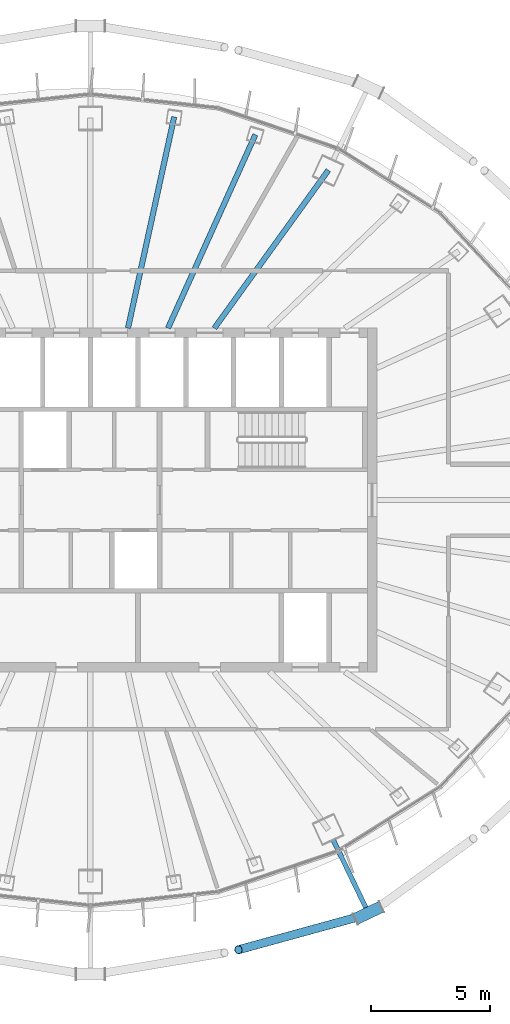
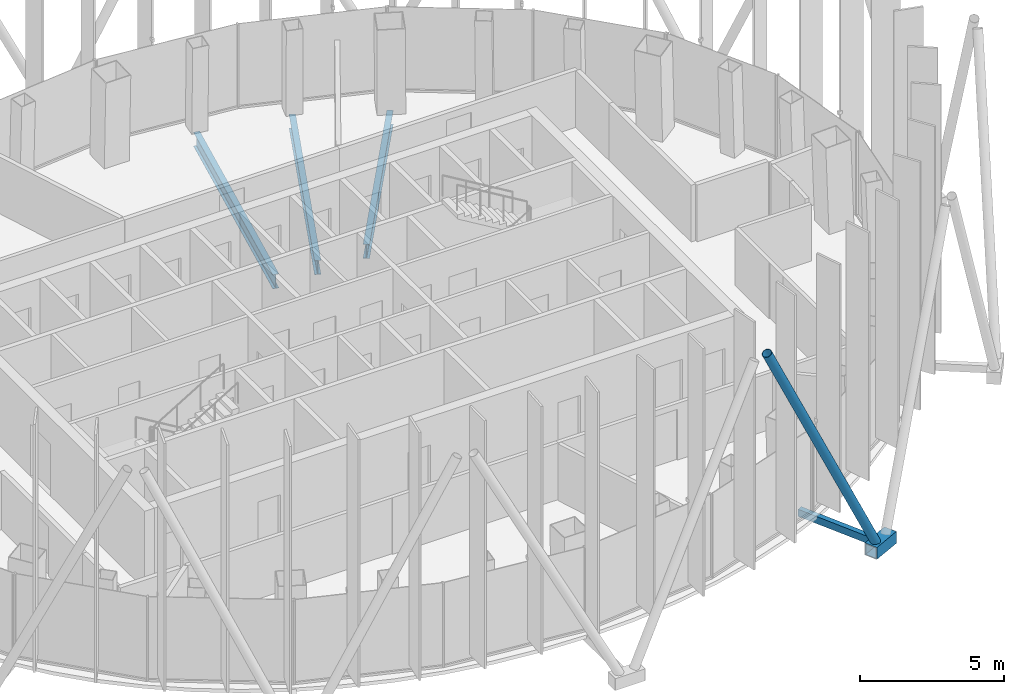
# One storey, part 5 of 19: 3 beams, 3 members.
"""IFC4 building model written with IfcOpenShell, lengths in metres."""

import ifcopenshell
import ifcopenshell.guid

model = None  # the IFC model being written
_history = None  # IfcOwnerHistory: only IFC2X3 demands one
_inside = {}  # id of a spatial element -> (the spatial element, [elements in it])
_under = {}  # id of a project, library or spatial element -> (it, [spatial elements below it])
_declared = {}  # id of a project -> (the project, [libraries it declares])
_typed = {}  # id of a type object -> (the type object, [elements of that type])
_made_of = {}  # id of a material, layer set ... -> (it, [elements and type objects made of it])


def new_model(schema):
    """Start an empty IFC model of exactly this schema.

    Asked for "IFC4X3", IfcOpenShell would pick the latest addendum, in which some entities
    have other attributes; the version numbers below select the first issue.
    IFC2X3 requires an IfcOwnerHistory on every rooted entity: one is made here for all.
    """
    global model, _history
    if schema == "IFC4X3":
        model = ifcopenshell.file(schema_version=(4, 3, 0, 0))
    else:
        model = ifcopenshell.file(schema=schema)
    _inside.clear()
    _under.clear()
    _declared.clear()
    _typed.clear()
    _made_of.clear()
    _history = None
    if model.schema == "IFC2X3":
        org = make("IfcOrganization", Name="unknown")
        user = make(
            "IfcPersonAndOrganization",
            ThePerson=make("IfcPerson", FamilyName="unknown"),
            TheOrganization=org,
        )
        app = make(
            "IfcApplication",
            ApplicationDeveloper=org,
            Version="unknown",
            ApplicationFullName="unknown",
            ApplicationIdentifier="unknown",
        )
        _history = make(
            "IfcOwnerHistory",
            OwningUser=user,
            OwningApplication=app,
            ChangeAction="ADDED",
            CreationDate=0,
        )
    return model


def make(cls, **values):
    """One entity of the class cls with the attributes given. An attribute that is None is left unset."""
    return model.create_entity(
        cls, **{name: value for name, value in values.items() if value is not None}
    )


def rooted(cls, **values):
    """An entity with a GlobalId (a new one), such as an element, a storey or a relation."""
    return make(cls, GlobalId=ifcopenshell.guid.new(), OwnerHistory=_history, **values)


def si_unit(unit_type, name, prefix=None):
    """IfcSIUnit, for example si_unit("LENGTHUNIT", "METRE", prefix="MILLI")."""
    return make("IfcSIUnit", UnitType=unit_type, Prefix=prefix, Name=name)


def assignment(units):
    """IfcUnitAssignment: the units of a project."""
    return None if units is None else make("IfcUnitAssignment", Units=units)


def point(xyz):
    """IfcCartesianPoint."""
    return None if xyz is None else make("IfcCartesianPoint", Coordinates=xyz)


def direction(xyz):
    """IfcDirection."""
    return None if xyz is None else make("IfcDirection", DirectionRatios=xyz)


def frame(location, z_axis=None, x_axis=None):
    """IfcAxis2Placement3D, a coordinate frame: its origin and axes. An axis left out is left unset."""
    return make(
        "IfcAxis2Placement3D",
        Location=point(location),
        Axis=direction(z_axis),
        RefDirection=direction(x_axis),
    )


def frame_2d(location, x_axis=None):
    """IfcAxis2Placement2D, a coordinate frame in the plane: its origin and x axis."""
    return make(
        "IfcAxis2Placement2D", Location=point(location), RefDirection=direction(x_axis)
    )


def origin():
    """The frame at (0, 0, 0) with its axes left unset."""
    return frame((0.0, 0.0, 0.0))


def origin_2d():
    """The frame at (0, 0) in the plane with its x axis left unset."""
    return frame_2d((0.0, 0.0))


def place(relative_to, where):
    """IfcLocalPlacement: puts the frame where relative to a parent placement (None: the world)."""
    return make(
        "IfcLocalPlacement", PlacementRelTo=relative_to, RelativePlacement=where
    )


def context(
    kind, dimensions, precision=None, world=None, true_north=None, identifier=None
):
    """IfcGeometricRepresentationContext, for example the 3D "Model" context."""
    return make(
        "IfcGeometricRepresentationContext",
        ContextIdentifier=identifier,
        ContextType=kind,
        CoordinateSpaceDimension=dimensions,
        Precision=precision,
        WorldCoordinateSystem=world,
        TrueNorth=true_north,
    )


def subcontext(parent, identifier, kind, view, scale=None):
    """IfcGeometricRepresentationSubContext, for example "Body" below "Model"."""
    return make(
        "IfcGeometricRepresentationSubContext",
        ContextIdentifier=identifier,
        ContextType=kind,
        ParentContext=parent,
        TargetScale=scale,
        TargetView=view,
    )


def project(units=None, contexts=None):
    """IfcProject with its units and contexts."""
    return rooted(
        "IfcProject",
        Name="project",
        RepresentationContexts=contexts,
        UnitsInContext=assignment(units),
    )


def spatial(cls, under=None, at=None, **own):
    """A site, building, storey or space (cls), placed at a placement, below another one or the project."""
    s = rooted(cls, ObjectPlacement=at, **own)
    if under is not None:
        _under.setdefault(under.id(), (under, []))[1].append(s)
    return s


def profile(cls, at=None, kind="AREA", **sizes):
    """A parametric profile (cls). Its sizes go by their IFC names, for example OverallWidth=200.0."""
    return make(cls, ProfileType=kind, Position=at, **sizes)


def hollow_rectangle(**sizes):
    """IfcRectangleHollowProfileDef."""
    return profile("IfcRectangleHollowProfileDef", **sizes)


def hollow_circle(**sizes):
    """IfcCircleHollowProfileDef."""
    return profile("IfcCircleHollowProfileDef", **sizes)


def i_section(**sizes):
    """IfcIShapeProfileDef."""
    return profile("IfcIShapeProfileDef", **sizes)


def extrude(swept, where, along, depth):
    """IfcExtrudedAreaSolid: the profile swept, set in the frame where, extruded along a direction by depth."""
    return make(
        "IfcExtrudedAreaSolid",
        SweptArea=swept,
        Position=where,
        ExtrudedDirection=direction(along),
        Depth=depth,
    )


def shape(context_of_items, identifier, shape_type, items):
    """IfcShapeRepresentation: the items that make up one representation, for example the "Body"."""
    return make(
        "IfcShapeRepresentation",
        ContextOfItems=context_of_items,
        RepresentationIdentifier=identifier,
        RepresentationType=shape_type,
        Items=items,
    )


def material(Name=None, Category=None):
    """IfcMaterial."""
    return make("IfcMaterial", Name=Name, Category=Category)


def material_profile(
    of_material, cross_section, Name=None, Category=None, Priority=None
):
    """IfcMaterialProfile: a cross section and its material."""
    return make(
        "IfcMaterialProfile",
        Name=Name,
        Material=of_material,
        Profile=cross_section,
        Priority=Priority,
        Category=Category,
    )


def profile_set(profiles, Name=None, composite=None):
    """IfcMaterialProfileSet."""
    return make(
        "IfcMaterialProfileSet",
        Name=Name,
        MaterialProfiles=profiles,
        CompositeProfile=composite,
    )


def made_of(thing, what):
    """Note that an element or type object is made of a material, layer set ...; save() writes the relation."""
    if what is not None:
        _made_of.setdefault(what.id(), (what, []))[1].append(thing)
    return thing


def type_object(cls, material=None, **own):
    """A type object (cls), such as IfcWallType, which elements share."""
    return made_of(rooted(cls, **own), material)


def element(
    cls,
    number,
    at=None,
    inside=None,
    cuts=None,
    type_object=None,
    material=None,
    context=None,
    identifier="Body",
    shape_type=None,
    held_by="IfcProductDefinitionShape",
    body=None,
    shapes=None,
    **own,
):
    """One element of the class cls, such as IfcWall. Its Tag is "e" and its number.

    at: its placement. inside: the storey or other place that contains it. cuts: it is an
    opening in that element (IfcRelVoidsElement). A single representation is given by context,
    identifier, shape_type and body (its items); several are given by shapes. held_by: the class
    of the entity that holds the representations. save() writes the other relations.
    """
    e = rooted(cls, Tag="e%d" % number, ObjectPlacement=at, **own)
    if body is not None:
        shapes = [shape(context, identifier, shape_type, body)]
    if shapes is not None:
        e.Representation = make(held_by, Representations=shapes)
    if inside is not None:
        _inside.setdefault(inside.id(), (inside, []))[1].append(e)
    if cuts is not None:
        rooted(
            "IfcRelVoidsElement", RelatingBuildingElement=cuts, RelatedOpeningElement=e
        )
    if type_object is not None:
        _typed.setdefault(type_object.id(), (type_object, []))[1].append(e)
    return made_of(e, material)


def aggregate(whole, parts):
    """IfcRelAggregates: a whole, such as a stair, and the parts it consists of."""
    return rooted("IfcRelAggregates", RelatingObject=whole, RelatedObjects=parts)


def save(model, path):
    """Write the relations noted so far, then the file.

    IfcRelAggregates (storeys below a building ...), IfcRelContainedInSpatialStructure (elements
    in a storey), IfcRelDefinesByType, IfcRelAssociatesMaterial and IfcRelDeclares: one each for
    every whole, place, type object, material and project.
    """
    for whole, parts in _under.values():
        aggregate(whole, parts)
    for where, things in _inside.values():
        rooted(
            "IfcRelContainedInSpatialStructure",
            RelatedElements=things,
            RelatingStructure=where,
        )
    for kind, things in _typed.values():
        rooted("IfcRelDefinesByType", RelatedObjects=things, RelatingType=kind)
    for what, things in _made_of.values():
        rooted("IfcRelAssociatesMaterial", RelatedObjects=things, RelatingMaterial=what)
    for by, libraries in _declared.values():
        rooted("IfcRelDeclares", RelatingContext=by, RelatedDefinitions=libraries)
    model.write(path)


model = new_model("IFC4")

# Units and contexts
model_context = context("Model", 3, precision=1e-05, world=origin(), true_north=direction((0.0, 1.0)))
body_context = subcontext(model_context, "Body", "Model", "MODEL_VIEW")
ifc_project = project(units=[si_unit("LENGTHUNIT", "METRE"), si_unit("AREAUNIT", "SQUARE_METRE"), si_unit("VOLUMEUNIT", "CUBIC_METRE"), si_unit("PLANEANGLEUNIT", "RADIAN"), si_unit("MASSUNIT", "GRAM", prefix="KILO")], contexts=[model_context])

# Site, building, storey
site_placement = place(None, origin())
site = spatial("IfcSite", under=ifc_project, at=site_placement, CompositionType="ELEMENT")
building_placement = place(site_placement, origin())
building = spatial("IfcBuilding", under=site, at=building_placement, Name="Siaravel Broadcast Tower", CompositionType="ELEMENT")
storey_placement = place(building_placement, frame((0.0, 0.0, 250.39990234375)))
storey = spatial("IfcBuildingStorey", under=building, at=storey_placement, Name="L61", CompositionType="ELEMENT", Elevation=250.39990234375)

# Beams
ifc_material_1 = material(Name="Steel S355", Category="steel")
ifc_material_profile_1 = material_profile(ifc_material_1, i_section(OverallWidth=0.2275390625, OverallDepth=0.6025390625, WebThickness=0.010498046875, FlangeThickness=0.014892578125, FilletRadius=0.0126953125, at=origin_2d()))
ifc_profile_set_1 = profile_set([ifc_material_profile_1], Name="Steel S355")
beam_type = type_object("IfcBeamType", Name="BM-UB 610x229x101", PredefinedType="BEAM", material=ifc_profile_set_1)
beam_1_placement = place(storey_placement, frame((9.967529296875, 13.814208984375, -0.451171875), z_axis=(-0.585127658, -0.810941196, 0.0), x_axis=(0.810941196, -0.585127658, 0.0)))
element("IfcBeam", 1, at=beam_1_placement, inside=storey, type_object=beam_type, Name="Radial beam RB07", PredefinedType="BEAM", context=body_context, shape_type="SweptSolid", body=[
    extrude(i_section(OverallWidth=0.2275390625, OverallDepth=0.6025390625, WebThickness=0.010498046875, FlangeThickness=0.014892578125, FilletRadius=0.0126953125, at=origin_2d()), origin(), (0.0, 0.0, 1.0), 8.15625),
])
beam_2_placement = place(storey_placement, frame((6.911376953125, 15.3017578125, -0.451171875), z_axis=(-0.411614684, -0.911357971, 0.0), x_axis=(0.911357971, -0.411614684, 0.0)))
element("IfcBeam", 2, at=beam_2_placement, inside=storey, type_object=beam_type, Name="Radial beam RB08", PredefinedType="BEAM", context=body_context, shape_type="SweptSolid", body=[
    extrude(i_section(OverallWidth=0.2275390625, OverallDepth=0.6025390625, WebThickness=0.010498046875, FlangeThickness=0.014892578125, FilletRadius=0.0126953125, at=origin_2d()), origin(), (0.0, 0.0, 1.0), 8.889892578125),
])
beam_3_placement = place(storey_placement, frame((3.5107421875, 16.048095703125, -0.451171875), z_axis=(-0.213698487, -0.976899666, 0.0), x_axis=(0.976899666, -0.213698487, 0.0)))
element("IfcBeam", 3, at=beam_3_placement, inside=storey, type_object=beam_type, Name="Radial beam RB09", PredefinedType="BEAM", context=body_context, shape_type="SweptSolid", body=[
    extrude(i_section(OverallWidth=0.2275390625, OverallDepth=0.6025390625, WebThickness=0.010498046875, FlangeThickness=0.014892578125, FilletRadius=0.0126953125, at=origin_2d()), origin(), (0.0, 0.0, 1.0), 9.057373046875),
])

# Members
ifc_material_2 = material(Name="Steel S460", Category="steel")
ifc_material_profile_2 = material_profile(ifc_material_2, hollow_circle(Radius=0.177734375, WallThickness=0.012451171875, at=origin_2d()))
ifc_profile_set_2 = profile_set([ifc_material_profile_2], Name="Steel S460")
member_type_1 = type_object("IfcMemberType", Name="Diagrid diagonal CHS 355.6x12.5", PredefinedType="BRACE", material=ifc_profile_set_2)
member_1_placement = place(storey_placement, frame((11.378173828125, -17.421630859375, 0.02001953125), z_axis=(-0.433866118, -0.118918424, 0.893094956), x_axis=(0.264340585, -0.964429393, 0.0)))
element("IfcMember", 4, at=member_1_placement, inside=storey, type_object=member_type_1, Name="Diagrid diagonal R25 station 60C", PredefinedType="BRACE", context=body_context, shape_type="SweptSolid", body=[
    extrude(hollow_circle(Radius=0.177734375, WallThickness=0.012451171875, at=origin_2d()), origin(), (0.0, 0.0, 1.0), 11.936279296875),
])
ifc_material_profile_3 = material_profile(ifc_material_2, hollow_rectangle(XDim=0.5, YDim=0.5, WallThickness=0.031982421875, at=origin_2d()))
ifc_profile_set_3 = profile_set([ifc_material_profile_3], Name="Steel S460")
member_type_2 = type_object("IfcMemberType", Name="Diagrid node BOX 500x500x32", PredefinedType="USERDEFINED", material=ifc_profile_set_3)
member_2_placement = place(storey_placement, frame((11.10888671875, -17.549072265625, -0.199951171875), z_axis=(0.903963868, 0.427608847, 0.0), x_axis=(-0.427608847, 0.903963868, 0.0)))
element("IfcMember", 5, at=member_2_placement, inside=storey, type_object=member_type_2, Name="Diagrid node R25 station 60", ObjectType="DIAGRID NODE", PredefinedType="USERDEFINED", context=body_context, shape_type="SweptSolid", body=[
    extrude(hollow_rectangle(XDim=0.5, YDim=0.5, WallThickness=0.031982421875, at=origin_2d()), origin(), (0.0, 0.0, 1.0), 1.18701171875),
])
ifc_material_profile_4 = material_profile(ifc_material_2, hollow_rectangle(XDim=0.199951171875, YDim=0.300048828125, WallThickness=0.012451171875, at=origin_2d()))
ifc_profile_set_4 = profile_set([ifc_material_profile_4], Name="Steel S460")
member_type_3 = type_object("IfcMemberType", Name="Diagrid node arm RHS 300x200x12.5", PredefinedType="STRUT", material=ifc_profile_set_4)
member_3_placement = place(storey_placement, frame((10.171630859375, -14.23779296875, -0.199951171875), z_axis=(0.434183283, -0.900824554, 0.0), x_axis=(0.900824554, 0.434183283, 0.0)))
element("IfcMember", 6, at=member_3_placement, inside=storey, type_object=member_type_3, Name="Node arm R25 station 60", PredefinedType="STRUT", context=body_context, shape_type="SweptSolid", body=[
    extrude(hollow_rectangle(XDim=0.199951171875, YDim=0.300048828125, WallThickness=0.012451171875, at=origin_2d()), origin(), (0.0, 0.0, 1.0), 3.174072265625),
])

save(model, "model.ifc")
